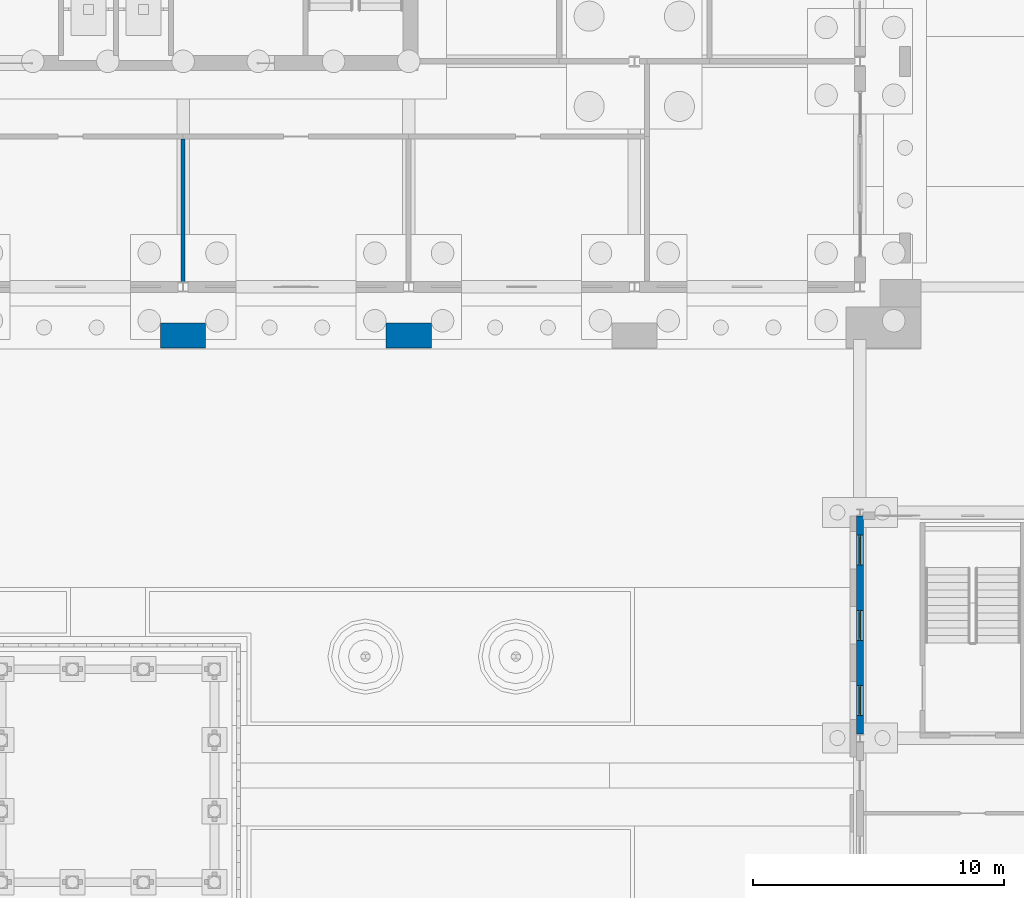
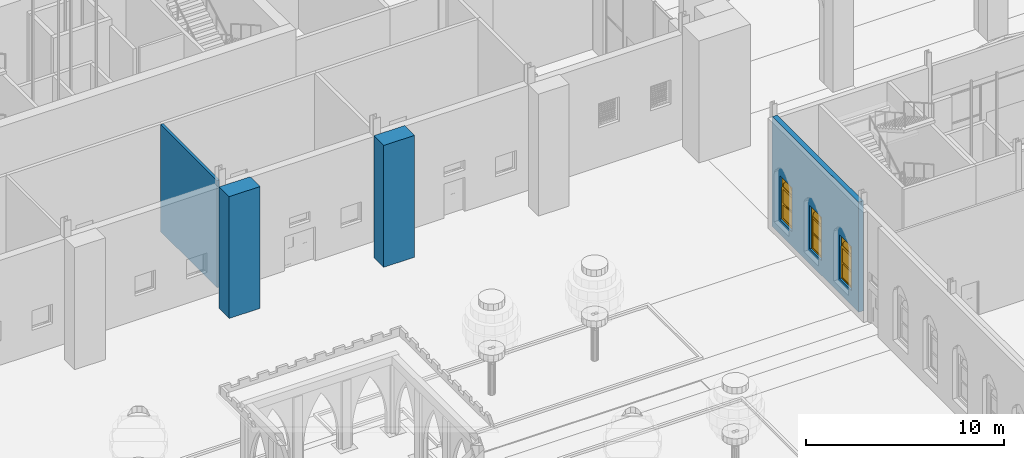
# One storey, part 104 of 250: 4 walls, 3 windows, 3 openings.
"""IFC4 building model written with IfcOpenShell, lengths in metres."""

from ifc_helpers import new_model, si_unit, direction, frame, frame_2d, origin, place, context, subcontext, project, spatial, polyline, rectangle, outline, extrude, material, layer, layer_set, type_object, element, fill, save


model = new_model("IFC4")

# Units and contexts
model_context = context("Model", 3, precision=1e-05, world=origin(), true_north=direction((0.0, 1.0)))
body_context = subcontext(model_context, "Body", "Model", "MODEL_VIEW")
ifc_project = project(units=[si_unit("LENGTHUNIT", "METRE"), si_unit("AREAUNIT", "SQUARE_METRE"), si_unit("VOLUMEUNIT", "CUBIC_METRE"), si_unit("PLANEANGLEUNIT", "RADIAN"), si_unit("MASSUNIT", "GRAM", prefix="KILO")], contexts=[model_context])

# Site, building, storey
site_placement = place(None, origin())
site = spatial("IfcSite", under=ifc_project, at=site_placement, CompositionType="ELEMENT")
building_placement = place(site_placement, origin())
building = spatial("IfcBuilding", under=site, at=building_placement, Name="Baradari Gate Terminus", CompositionType="ELEMENT")
storey_placement = place(building_placement, origin())
storey = spatial("IfcBuildingStorey", under=building, at=storey_placement, Name="L00", CompositionType="ELEMENT", Elevation=0.0)

# Wall, openings, windows
ifc_material_1 = material(Name="Concrete C40/50 precast", Category="concrete")
ifc_layer_1 = layer(ifc_material_1, 0.23)
ifc_material_2 = material(Name="Reconstituted stone", Category="masonry")
ifc_layer_2 = layer(ifc_material_2, 0.05)
ifc_layer_set_1 = layer_set([ifc_layer_1, ifc_layer_2], Name="Concrete C40/50 precast")
wall_type_1 = type_object("IfcWallType", Name="End wall WE-1 280", PredefinedType="SOLIDWALL", material=ifc_layer_set_1)
wall_1_placement = place(storey_placement, frame((63.0, 99.1572265625, 0.0), z_axis=(0.0, 0.0, 1.0), x_axis=(0.0, 1.0, 0.0)))
wall_1 = element("IfcWall", 1, at=wall_1_placement, inside=storey, type_object=wall_type_1, Name="court end wall HW bay 12 L00", PredefinedType="SOLIDWALL", context=body_context, shape_type="SweptSolid", body=[
    extrude(rectangle(XDim=8.712646484375, YDim=0.280029296875, at=frame_2d((4.3564453125, 0.0))), origin(), (0.0, 0.0, 1.0), 6.767333984375),
])
opening_1_placement = place(wall_1_placement, frame((0.74267578125, 0.0, 0.89990234375)))
opening_1 = element("IfcOpeningElement", 2, at=opening_1_placement, cuts=wall_1, Name="Opening W7", PredefinedType="OPENING", context=body_context, shape_type="SweptSolid", body=[
    extrude(rectangle(XDim=1.199951171875, YDim=2.699951171875, at=frame_2d((0.60009765625, 1.35009765625))), frame((0.0, 0.14990234375, 0.0), z_axis=(0.0, -1.0, 0.0), x_axis=(1.0, 0.0, 0.0)), (0.0, 0.0, 1.0), 0.300048828125),
])
opening_2_placement = place(wall_1_placement, frame((3.74267578125, 0.0, 0.89990234375)))
opening_2 = element("IfcOpeningElement", 3, at=opening_2_placement, cuts=wall_1, Name="Opening W7", PredefinedType="OPENING", context=body_context, shape_type="SweptSolid", body=[
    extrude(rectangle(XDim=1.199951171875, YDim=2.699951171875, at=frame_2d((0.60009765625, 1.35009765625))), frame((0.0, 0.14990234375, 0.0), z_axis=(0.0, -1.0, 0.0), x_axis=(1.0, 0.0, 0.0)), (0.0, 0.0, 1.0), 0.300048828125),
])
opening_3_placement = place(wall_1_placement, frame((6.74267578125, 0.0, 0.89990234375)))
opening_3 = element("IfcOpeningElement", 4, at=opening_3_placement, cuts=wall_1, Name="Opening W7", PredefinedType="OPENING", context=body_context, shape_type="SweptSolid", body=[
    extrude(rectangle(XDim=1.199951171875, YDim=2.699951171875, at=frame_2d((0.60009765625, 1.35009765625))), frame((0.0, 0.14990234375, 0.0), z_axis=(0.0, -1.0, 0.0), x_axis=(1.0, 0.0, 0.0)), (0.0, 0.0, 1.0), 0.300048828125),
])
ifc_material_3 = material(Name="Aluminium 6063-T6", Category="aluminium")
window_type = type_object("IfcWindowType", Name="Service block window W7 1200x2700", PartitioningType="DOUBLE_PANEL_HORIZONTAL", PredefinedType="WINDOW", material=ifc_material_3)
window_1_placement = place(opening_1_placement, origin())
window_1 = element("IfcWindow", 5, at=window_1_placement, inside=storey, type_object=window_type, Name="Window W7 HW/11", OverallHeight=2.7, OverallWidth=1.2, PartitioningType="DOUBLE_PANEL_HORIZONTAL", PredefinedType="WINDOW", context=body_context, shape_type="SweptSolid", body=[
    extrude(outline(polyline([(0.0, 0.0), (1.199951171875, 0.0), (1.199951171875, 1.969970703125), (1.195068359375, 2.05517578125), (1.180419921875, 2.13916015625), (1.15625, 2.220947265625), (1.123046875, 2.29931640625), (1.0810546875, 2.37353515625), (1.03076171875, 2.4423828125), (0.972900390625, 2.505126953125), (0.908203125, 2.560791015625), (0.837646484375, 2.608642578125), (0.76220703125, 2.648193359375), (0.6826171875, 2.6787109375), (0.599853515625, 2.699951171875), (0.517333984375, 2.6787109375), (0.437744140625, 2.648193359375), (0.3623046875, 2.608642578125), (0.291748046875, 2.560791015625), (0.22705078125, 2.505126953125), (0.169189453125, 2.4423828125), (0.118896484375, 2.37353515625), (0.076904296875, 2.29931640625), (0.043701171875, 2.220947265625), (0.01953125, 2.13916015625), (0.0048828125, 2.05517578125), (0.0, 1.969970703125), (0.0, 0.0)]), holes=[polyline([(0.070068359375, 0.070068359375), (1.1298828125, 0.070068359375), (1.1298828125, 1.969970703125), (1.12548828125, 2.0458984375), (1.11279296875, 2.12109375), (1.091552734375, 2.1943359375), (1.062255859375, 2.2646484375), (1.025390625, 2.3310546875), (0.98095703125, 2.39306640625), (0.929931640625, 2.44970703125), (0.873046875, 2.500244140625), (0.810791015625, 2.5439453125), (0.743896484375, 2.58056640625), (0.67333984375, 2.609375), (0.60009765625, 2.6298828125), (0.526611328125, 2.609375), (0.4560546875, 2.58056640625), (0.38916015625, 2.5439453125), (0.326904296875, 2.500244140625), (0.27001953125, 2.44970703125), (0.218994140625, 2.39306640625), (0.174560546875, 2.3310546875), (0.1376953125, 2.2646484375), (0.1083984375, 2.1943359375), (0.087158203125, 2.12109375), (0.074462890625, 2.0458984375), (0.070068359375, 1.969970703125), (0.070068359375, 0.070068359375)])]), frame((0.0, 0.030029296875, 0.0), z_axis=(0.0, -1.0, 0.0), x_axis=(1.0, 0.0, 0.0)), (0.0, 0.0, 1.0), 0.06005859375),
    extrude(outline(polyline([(0.0, 1.969970703125), (0.0048828125, 2.05517578125), (0.01953125, 2.13916015625), (0.043701171875, 2.220947265625), (0.076904296875, 2.29931640625), (0.118896484375, 2.37353515625), (0.169189453125, 2.4423828125), (0.22705078125, 2.505126953125), (0.291748046875, 2.560791015625), (0.3623046875, 2.608642578125), (0.437744140625, 2.648193359375), (0.517333984375, 2.6787109375), (0.599853515625, 2.699951171875), (0.0, 2.699951171875), (0.0, 1.969970703125)])), frame((0.0, 0.028076171875, 0.0), z_axis=(0.0, -1.0, 0.0), x_axis=(1.0, 0.0, 0.0)), (0.0, 0.0, 1.0), 0.05615234375),
    extrude(outline(polyline([(0.599853515625, 2.699951171875), (0.6826171875, 2.6787109375), (0.76220703125, 2.648193359375), (0.837646484375, 2.608642578125), (0.908203125, 2.560791015625), (0.972900390625, 2.505126953125), (1.03076171875, 2.4423828125), (1.0810546875, 2.37353515625), (1.123046875, 2.29931640625), (1.15625, 2.220947265625), (1.180419921875, 2.13916015625), (1.195068359375, 2.05517578125), (1.199951171875, 1.969970703125), (1.199951171875, 2.699951171875), (0.599853515625, 2.699951171875)])), frame((0.0, 0.027099609375, 0.0), z_axis=(0.0, -1.0, 0.0), x_axis=(1.0, 0.0, 0.0)), (0.0, 0.0, 1.0), 0.05419921875),
    extrude(outline(polyline([(1.127685546875, 2.010009765625), (0.072265625, 2.010009765625), (0.070068359375, 1.969970703125), (0.070068359375, 1.929931640625), (1.1298828125, 1.929931640625), (1.1298828125, 1.969970703125), (1.127685546875, 2.010009765625)])), frame((0.0, 0.02099609375, 0.0), z_axis=(0.0, -1.0, 0.0), x_axis=(1.0, 0.0, 0.0)), (0.0, 0.0, 1.0), 0.0419921875),
    extrude(rectangle(XDim=1.059814453125, YDim=0.0400390625, at=frame_2d((0.60009765625, 1.0))), frame((0.0, 0.021484375, 0.0), z_axis=(0.0, -1.0, 0.0), x_axis=(1.0, 0.0, 0.0)), (0.0, 0.0, 1.0), 0.04296875),
    extrude(outline(polyline([(0.070068359375, 0.070068359375), (1.1298828125, 0.070068359375), (1.1298828125, 0.97998046875), (0.070068359375, 0.97998046875), (0.070068359375, 0.070068359375)]), holes=[polyline([(0.10009765625, 0.10009765625), (1.099853515625, 0.10009765625), (1.099853515625, 0.949951171875), (0.10009765625, 0.949951171875), (0.10009765625, 0.10009765625)])]), frame((0.0, 0.0224609375, 0.0), z_axis=(0.0, -1.0, 0.0), x_axis=(1.0, 0.0, 0.0)), (0.0, 0.0, 1.0), 0.044921875),
    extrude(rectangle(XDim=0.999755859375, YDim=0.849853515625, at=frame_2d((0.60009765625, 0.52490234375))), frame((0.0, 0.006103515625, 0.0), z_axis=(0.0, -1.0, 0.0), x_axis=(1.0, 0.0, 0.0)), (0.0, 0.0, 1.0), 0.01220703125),
    extrude(outline(polyline([(0.070068359375, 1.02001953125), (1.1298828125, 1.02001953125), (1.1298828125, 1.929931640625), (0.070068359375, 1.929931640625), (0.070068359375, 1.02001953125)]), holes=[polyline([(0.10009765625, 1.050048828125), (1.099853515625, 1.050048828125), (1.099853515625, 1.89990234375), (0.10009765625, 1.89990234375), (0.10009765625, 1.050048828125)])]), frame((0.0, 0.0224609375, 0.0), z_axis=(0.0, -1.0, 0.0), x_axis=(1.0, 0.0, 0.0)), (0.0, 0.0, 1.0), 0.044921875),
    extrude(rectangle(XDim=0.999755859375, YDim=0.849853515625, at=frame_2d((0.60009765625, 1.47509765625))), frame((0.0, 0.006103515625, 0.0), z_axis=(0.0, -1.0, 0.0), x_axis=(1.0, 0.0, 0.0)), (0.0, 0.0, 1.0), 0.01220703125),
    extrude(outline(polyline([(0.072265625, 2.010009765625), (1.127685546875, 2.010009765625), (1.12548828125, 2.0458984375), (1.11279296875, 2.12109375), (1.091552734375, 2.1943359375), (1.062255859375, 2.2646484375), (1.025390625, 2.3310546875), (0.98095703125, 2.39306640625), (0.929931640625, 2.44970703125), (0.873046875, 2.500244140625), (0.810791015625, 2.5439453125), (0.743896484375, 2.58056640625), (0.67333984375, 2.609375), (0.60009765625, 2.6298828125), (0.526611328125, 2.609375), (0.4560546875, 2.58056640625), (0.38916015625, 2.5439453125), (0.326904296875, 2.500244140625), (0.27001953125, 2.44970703125), (0.218994140625, 2.39306640625), (0.174560546875, 2.3310546875), (0.1376953125, 2.2646484375), (0.1083984375, 2.1943359375), (0.087158203125, 2.12109375), (0.074462890625, 2.0458984375), (0.072265625, 2.010009765625)]), holes=[polyline([(0.10986328125, 2.044921875), (0.121337890625, 2.11328125), (0.141357421875, 2.1826171875), (0.169189453125, 2.249267578125), (0.2041015625, 2.312255859375), (0.246337890625, 2.37109375), (0.294677734375, 2.4248046875), (0.3486328125, 2.47265625), (0.40771484375, 2.51416015625), (0.47119140625, 2.548828125), (0.5380859375, 2.576171875), (0.60009765625, 2.593505859375), (0.661865234375, 2.576171875), (0.728759765625, 2.548828125), (0.792236328125, 2.51416015625), (0.851318359375, 2.47265625), (0.9052734375, 2.4248046875), (0.95361328125, 2.37109375), (0.995849609375, 2.312255859375), (1.03076171875, 2.249267578125), (1.05859375, 2.1826171875), (1.07861328125, 2.11328125), (1.090087890625, 2.044921875), (0.10986328125, 2.044921875)])]), frame((0.0, 0.0224609375, 0.0), z_axis=(0.0, -1.0, 0.0), x_axis=(1.0, 0.0, 0.0)), (0.0, 0.0, 1.0), 0.044921875),
    extrude(outline(polyline([(1.090087890625, 2.044921875), (1.07861328125, 2.11328125), (1.05859375, 2.1826171875), (1.03076171875, 2.249267578125), (0.995849609375, 2.312255859375), (0.95361328125, 2.37109375), (0.9052734375, 2.4248046875), (0.851318359375, 2.47265625), (0.792236328125, 2.51416015625), (0.728759765625, 2.548828125), (0.661865234375, 2.576171875), (0.60009765625, 2.593505859375), (0.5380859375, 2.576171875), (0.47119140625, 2.548828125), (0.40771484375, 2.51416015625), (0.3486328125, 2.47265625), (0.294677734375, 2.4248046875), (0.246337890625, 2.37109375), (0.2041015625, 2.312255859375), (0.169189453125, 2.249267578125), (0.141357421875, 2.1826171875), (0.121337890625, 2.11328125), (0.10986328125, 2.044921875), (1.090087890625, 2.044921875)])), frame((0.0, 0.006103515625, 0.0), z_axis=(0.0, -1.0, 0.0), x_axis=(1.0, 0.0, 0.0)), (0.0, 0.0, 1.0), 0.01220703125),
])
fill(opening_1, window_1)
window_2_placement = place(opening_2_placement, origin())
window_2 = element("IfcWindow", 6, at=window_2_placement, inside=storey, type_object=window_type, Name="Window W7 HW/11", OverallHeight=2.7, OverallWidth=1.2, PartitioningType="DOUBLE_PANEL_HORIZONTAL", PredefinedType="WINDOW", context=body_context, shape_type="SweptSolid", body=[
    extrude(outline(polyline([(0.0, 0.0), (1.199951171875, 0.0), (1.199951171875, 1.969970703125), (1.195068359375, 2.05517578125), (1.180419921875, 2.13916015625), (1.15625, 2.220947265625), (1.123046875, 2.29931640625), (1.0810546875, 2.37353515625), (1.03076171875, 2.4423828125), (0.972900390625, 2.505126953125), (0.908203125, 2.560791015625), (0.837646484375, 2.608642578125), (0.76220703125, 2.648193359375), (0.6826171875, 2.6787109375), (0.599853515625, 2.699951171875), (0.517333984375, 2.6787109375), (0.437744140625, 2.648193359375), (0.3623046875, 2.608642578125), (0.291748046875, 2.560791015625), (0.22705078125, 2.505126953125), (0.169189453125, 2.4423828125), (0.118896484375, 2.37353515625), (0.076904296875, 2.29931640625), (0.043701171875, 2.220947265625), (0.01953125, 2.13916015625), (0.0048828125, 2.05517578125), (0.0, 1.969970703125), (0.0, 0.0)]), holes=[polyline([(0.070068359375, 0.070068359375), (1.1298828125, 0.070068359375), (1.1298828125, 1.969970703125), (1.12548828125, 2.0458984375), (1.11279296875, 2.12109375), (1.091552734375, 2.1943359375), (1.062255859375, 2.2646484375), (1.025390625, 2.3310546875), (0.98095703125, 2.39306640625), (0.929931640625, 2.44970703125), (0.873046875, 2.500244140625), (0.810791015625, 2.5439453125), (0.743896484375, 2.58056640625), (0.67333984375, 2.609375), (0.60009765625, 2.6298828125), (0.526611328125, 2.609375), (0.4560546875, 2.58056640625), (0.38916015625, 2.5439453125), (0.326904296875, 2.500244140625), (0.27001953125, 2.44970703125), (0.218994140625, 2.39306640625), (0.174560546875, 2.3310546875), (0.1376953125, 2.2646484375), (0.1083984375, 2.1943359375), (0.087158203125, 2.12109375), (0.074462890625, 2.0458984375), (0.070068359375, 1.969970703125), (0.070068359375, 0.070068359375)])]), frame((0.0, 0.030029296875, 0.0), z_axis=(0.0, -1.0, 0.0), x_axis=(1.0, 0.0, 0.0)), (0.0, 0.0, 1.0), 0.06005859375),
    extrude(outline(polyline([(0.0, 1.969970703125), (0.0048828125, 2.05517578125), (0.01953125, 2.13916015625), (0.043701171875, 2.220947265625), (0.076904296875, 2.29931640625), (0.118896484375, 2.37353515625), (0.169189453125, 2.4423828125), (0.22705078125, 2.505126953125), (0.291748046875, 2.560791015625), (0.3623046875, 2.608642578125), (0.437744140625, 2.648193359375), (0.517333984375, 2.6787109375), (0.599853515625, 2.699951171875), (0.0, 2.699951171875), (0.0, 1.969970703125)])), frame((0.0, 0.028076171875, 0.0), z_axis=(0.0, -1.0, 0.0), x_axis=(1.0, 0.0, 0.0)), (0.0, 0.0, 1.0), 0.05615234375),
    extrude(outline(polyline([(0.599853515625, 2.699951171875), (0.6826171875, 2.6787109375), (0.76220703125, 2.648193359375), (0.837646484375, 2.608642578125), (0.908203125, 2.560791015625), (0.972900390625, 2.505126953125), (1.03076171875, 2.4423828125), (1.0810546875, 2.37353515625), (1.123046875, 2.29931640625), (1.15625, 2.220947265625), (1.180419921875, 2.13916015625), (1.195068359375, 2.05517578125), (1.199951171875, 1.969970703125), (1.199951171875, 2.699951171875), (0.599853515625, 2.699951171875)])), frame((0.0, 0.027099609375, 0.0), z_axis=(0.0, -1.0, 0.0), x_axis=(1.0, 0.0, 0.0)), (0.0, 0.0, 1.0), 0.05419921875),
    extrude(outline(polyline([(1.127685546875, 2.010009765625), (0.072265625, 2.010009765625), (0.070068359375, 1.969970703125), (0.070068359375, 1.929931640625), (1.1298828125, 1.929931640625), (1.1298828125, 1.969970703125), (1.127685546875, 2.010009765625)])), frame((0.0, 0.02099609375, 0.0), z_axis=(0.0, -1.0, 0.0), x_axis=(1.0, 0.0, 0.0)), (0.0, 0.0, 1.0), 0.0419921875),
    extrude(rectangle(XDim=1.059814453125, YDim=0.0400390625, at=frame_2d((0.60009765625, 1.0))), frame((0.0, 0.021484375, 0.0), z_axis=(0.0, -1.0, 0.0), x_axis=(1.0, 0.0, 0.0)), (0.0, 0.0, 1.0), 0.04296875),
    extrude(outline(polyline([(0.070068359375, 0.070068359375), (1.1298828125, 0.070068359375), (1.1298828125, 0.97998046875), (0.070068359375, 0.97998046875), (0.070068359375, 0.070068359375)]), holes=[polyline([(0.10009765625, 0.10009765625), (1.099853515625, 0.10009765625), (1.099853515625, 0.949951171875), (0.10009765625, 0.949951171875), (0.10009765625, 0.10009765625)])]), frame((0.0, 0.0224609375, 0.0), z_axis=(0.0, -1.0, 0.0), x_axis=(1.0, 0.0, 0.0)), (0.0, 0.0, 1.0), 0.044921875),
    extrude(rectangle(XDim=0.999755859375, YDim=0.849853515625, at=frame_2d((0.60009765625, 0.52490234375))), frame((0.0, 0.006103515625, 0.0), z_axis=(0.0, -1.0, 0.0), x_axis=(1.0, 0.0, 0.0)), (0.0, 0.0, 1.0), 0.01220703125),
    extrude(outline(polyline([(0.070068359375, 1.02001953125), (1.1298828125, 1.02001953125), (1.1298828125, 1.929931640625), (0.070068359375, 1.929931640625), (0.070068359375, 1.02001953125)]), holes=[polyline([(0.10009765625, 1.050048828125), (1.099853515625, 1.050048828125), (1.099853515625, 1.89990234375), (0.10009765625, 1.89990234375), (0.10009765625, 1.050048828125)])]), frame((0.0, 0.0224609375, 0.0), z_axis=(0.0, -1.0, 0.0), x_axis=(1.0, 0.0, 0.0)), (0.0, 0.0, 1.0), 0.044921875),
    extrude(rectangle(XDim=0.999755859375, YDim=0.849853515625, at=frame_2d((0.60009765625, 1.47509765625))), frame((0.0, 0.006103515625, 0.0), z_axis=(0.0, -1.0, 0.0), x_axis=(1.0, 0.0, 0.0)), (0.0, 0.0, 1.0), 0.01220703125),
    extrude(outline(polyline([(0.072265625, 2.010009765625), (1.127685546875, 2.010009765625), (1.12548828125, 2.0458984375), (1.11279296875, 2.12109375), (1.091552734375, 2.1943359375), (1.062255859375, 2.2646484375), (1.025390625, 2.3310546875), (0.98095703125, 2.39306640625), (0.929931640625, 2.44970703125), (0.873046875, 2.500244140625), (0.810791015625, 2.5439453125), (0.743896484375, 2.58056640625), (0.67333984375, 2.609375), (0.60009765625, 2.6298828125), (0.526611328125, 2.609375), (0.4560546875, 2.58056640625), (0.38916015625, 2.5439453125), (0.326904296875, 2.500244140625), (0.27001953125, 2.44970703125), (0.218994140625, 2.39306640625), (0.174560546875, 2.3310546875), (0.1376953125, 2.2646484375), (0.1083984375, 2.1943359375), (0.087158203125, 2.12109375), (0.074462890625, 2.0458984375), (0.072265625, 2.010009765625)]), holes=[polyline([(0.10986328125, 2.044921875), (0.121337890625, 2.11328125), (0.141357421875, 2.1826171875), (0.169189453125, 2.249267578125), (0.2041015625, 2.312255859375), (0.246337890625, 2.37109375), (0.294677734375, 2.4248046875), (0.3486328125, 2.47265625), (0.40771484375, 2.51416015625), (0.47119140625, 2.548828125), (0.5380859375, 2.576171875), (0.60009765625, 2.593505859375), (0.661865234375, 2.576171875), (0.728759765625, 2.548828125), (0.792236328125, 2.51416015625), (0.851318359375, 2.47265625), (0.9052734375, 2.4248046875), (0.95361328125, 2.37109375), (0.995849609375, 2.312255859375), (1.03076171875, 2.249267578125), (1.05859375, 2.1826171875), (1.07861328125, 2.11328125), (1.090087890625, 2.044921875), (0.10986328125, 2.044921875)])]), frame((0.0, 0.0224609375, 0.0), z_axis=(0.0, -1.0, 0.0), x_axis=(1.0, 0.0, 0.0)), (0.0, 0.0, 1.0), 0.044921875),
    extrude(outline(polyline([(1.090087890625, 2.044921875), (1.07861328125, 2.11328125), (1.05859375, 2.1826171875), (1.03076171875, 2.249267578125), (0.995849609375, 2.312255859375), (0.95361328125, 2.37109375), (0.9052734375, 2.4248046875), (0.851318359375, 2.47265625), (0.792236328125, 2.51416015625), (0.728759765625, 2.548828125), (0.661865234375, 2.576171875), (0.60009765625, 2.593505859375), (0.5380859375, 2.576171875), (0.47119140625, 2.548828125), (0.40771484375, 2.51416015625), (0.3486328125, 2.47265625), (0.294677734375, 2.4248046875), (0.246337890625, 2.37109375), (0.2041015625, 2.312255859375), (0.169189453125, 2.249267578125), (0.141357421875, 2.1826171875), (0.121337890625, 2.11328125), (0.10986328125, 2.044921875), (1.090087890625, 2.044921875)])), frame((0.0, 0.006103515625, 0.0), z_axis=(0.0, -1.0, 0.0), x_axis=(1.0, 0.0, 0.0)), (0.0, 0.0, 1.0), 0.01220703125),
])
fill(opening_2, window_2)
window_3_placement = place(opening_3_placement, origin())
window_3 = element("IfcWindow", 7, at=window_3_placement, inside=storey, type_object=window_type, Name="Window W7 HW/11", OverallHeight=2.7, OverallWidth=1.2, PartitioningType="DOUBLE_PANEL_HORIZONTAL", PredefinedType="WINDOW", context=body_context, shape_type="SweptSolid", body=[
    extrude(outline(polyline([(0.0, 0.0), (1.199951171875, 0.0), (1.199951171875, 1.969970703125), (1.195068359375, 2.05517578125), (1.180419921875, 2.13916015625), (1.15625, 2.220947265625), (1.123046875, 2.29931640625), (1.0810546875, 2.37353515625), (1.03076171875, 2.4423828125), (0.972900390625, 2.505126953125), (0.908203125, 2.560791015625), (0.837646484375, 2.608642578125), (0.76220703125, 2.648193359375), (0.6826171875, 2.6787109375), (0.599853515625, 2.699951171875), (0.517333984375, 2.6787109375), (0.437744140625, 2.648193359375), (0.3623046875, 2.608642578125), (0.291748046875, 2.560791015625), (0.22705078125, 2.505126953125), (0.169189453125, 2.4423828125), (0.118896484375, 2.37353515625), (0.076904296875, 2.29931640625), (0.043701171875, 2.220947265625), (0.01953125, 2.13916015625), (0.0048828125, 2.05517578125), (0.0, 1.969970703125), (0.0, 0.0)]), holes=[polyline([(0.070068359375, 0.070068359375), (1.1298828125, 0.070068359375), (1.1298828125, 1.969970703125), (1.12548828125, 2.0458984375), (1.11279296875, 2.12109375), (1.091552734375, 2.1943359375), (1.062255859375, 2.2646484375), (1.025390625, 2.3310546875), (0.98095703125, 2.39306640625), (0.929931640625, 2.44970703125), (0.873046875, 2.500244140625), (0.810791015625, 2.5439453125), (0.743896484375, 2.58056640625), (0.67333984375, 2.609375), (0.60009765625, 2.6298828125), (0.526611328125, 2.609375), (0.4560546875, 2.58056640625), (0.38916015625, 2.5439453125), (0.326904296875, 2.500244140625), (0.27001953125, 2.44970703125), (0.218994140625, 2.39306640625), (0.174560546875, 2.3310546875), (0.1376953125, 2.2646484375), (0.1083984375, 2.1943359375), (0.087158203125, 2.12109375), (0.074462890625, 2.0458984375), (0.070068359375, 1.969970703125), (0.070068359375, 0.070068359375)])]), frame((0.0, 0.030029296875, 0.0), z_axis=(0.0, -1.0, 0.0), x_axis=(1.0, 0.0, 0.0)), (0.0, 0.0, 1.0), 0.06005859375),
    extrude(outline(polyline([(0.0, 1.969970703125), (0.0048828125, 2.05517578125), (0.01953125, 2.13916015625), (0.043701171875, 2.220947265625), (0.076904296875, 2.29931640625), (0.118896484375, 2.37353515625), (0.169189453125, 2.4423828125), (0.22705078125, 2.505126953125), (0.291748046875, 2.560791015625), (0.3623046875, 2.608642578125), (0.437744140625, 2.648193359375), (0.517333984375, 2.6787109375), (0.599853515625, 2.699951171875), (0.0, 2.699951171875), (0.0, 1.969970703125)])), frame((0.0, 0.028076171875, 0.0), z_axis=(0.0, -1.0, 0.0), x_axis=(1.0, 0.0, 0.0)), (0.0, 0.0, 1.0), 0.05615234375),
    extrude(outline(polyline([(0.599853515625, 2.699951171875), (0.6826171875, 2.6787109375), (0.76220703125, 2.648193359375), (0.837646484375, 2.608642578125), (0.908203125, 2.560791015625), (0.972900390625, 2.505126953125), (1.03076171875, 2.4423828125), (1.0810546875, 2.37353515625), (1.123046875, 2.29931640625), (1.15625, 2.220947265625), (1.180419921875, 2.13916015625), (1.195068359375, 2.05517578125), (1.199951171875, 1.969970703125), (1.199951171875, 2.699951171875), (0.599853515625, 2.699951171875)])), frame((0.0, 0.027099609375, 0.0), z_axis=(0.0, -1.0, 0.0), x_axis=(1.0, 0.0, 0.0)), (0.0, 0.0, 1.0), 0.05419921875),
    extrude(outline(polyline([(1.127685546875, 2.010009765625), (0.072265625, 2.010009765625), (0.070068359375, 1.969970703125), (0.070068359375, 1.929931640625), (1.1298828125, 1.929931640625), (1.1298828125, 1.969970703125), (1.127685546875, 2.010009765625)])), frame((0.0, 0.02099609375, 0.0), z_axis=(0.0, -1.0, 0.0), x_axis=(1.0, 0.0, 0.0)), (0.0, 0.0, 1.0), 0.0419921875),
    extrude(rectangle(XDim=1.059814453125, YDim=0.0400390625, at=frame_2d((0.60009765625, 1.0))), frame((0.0, 0.021484375, 0.0), z_axis=(0.0, -1.0, 0.0), x_axis=(1.0, 0.0, 0.0)), (0.0, 0.0, 1.0), 0.04296875),
    extrude(outline(polyline([(0.070068359375, 0.070068359375), (1.1298828125, 0.070068359375), (1.1298828125, 0.97998046875), (0.070068359375, 0.97998046875), (0.070068359375, 0.070068359375)]), holes=[polyline([(0.10009765625, 0.10009765625), (1.099853515625, 0.10009765625), (1.099853515625, 0.949951171875), (0.10009765625, 0.949951171875), (0.10009765625, 0.10009765625)])]), frame((0.0, 0.0224609375, 0.0), z_axis=(0.0, -1.0, 0.0), x_axis=(1.0, 0.0, 0.0)), (0.0, 0.0, 1.0), 0.044921875),
    extrude(rectangle(XDim=0.999755859375, YDim=0.849853515625, at=frame_2d((0.60009765625, 0.52490234375))), frame((0.0, 0.006103515625, 0.0), z_axis=(0.0, -1.0, 0.0), x_axis=(1.0, 0.0, 0.0)), (0.0, 0.0, 1.0), 0.01220703125),
    extrude(outline(polyline([(0.070068359375, 1.02001953125), (1.1298828125, 1.02001953125), (1.1298828125, 1.929931640625), (0.070068359375, 1.929931640625), (0.070068359375, 1.02001953125)]), holes=[polyline([(0.10009765625, 1.050048828125), (1.099853515625, 1.050048828125), (1.099853515625, 1.89990234375), (0.10009765625, 1.89990234375), (0.10009765625, 1.050048828125)])]), frame((0.0, 0.0224609375, 0.0), z_axis=(0.0, -1.0, 0.0), x_axis=(1.0, 0.0, 0.0)), (0.0, 0.0, 1.0), 0.044921875),
    extrude(rectangle(XDim=0.999755859375, YDim=0.849853515625, at=frame_2d((0.60009765625, 1.47509765625))), frame((0.0, 0.006103515625, 0.0), z_axis=(0.0, -1.0, 0.0), x_axis=(1.0, 0.0, 0.0)), (0.0, 0.0, 1.0), 0.01220703125),
    extrude(outline(polyline([(0.072265625, 2.010009765625), (1.127685546875, 2.010009765625), (1.12548828125, 2.0458984375), (1.11279296875, 2.12109375), (1.091552734375, 2.1943359375), (1.062255859375, 2.2646484375), (1.025390625, 2.3310546875), (0.98095703125, 2.39306640625), (0.929931640625, 2.44970703125), (0.873046875, 2.500244140625), (0.810791015625, 2.5439453125), (0.743896484375, 2.58056640625), (0.67333984375, 2.609375), (0.60009765625, 2.6298828125), (0.526611328125, 2.609375), (0.4560546875, 2.58056640625), (0.38916015625, 2.5439453125), (0.326904296875, 2.500244140625), (0.27001953125, 2.44970703125), (0.218994140625, 2.39306640625), (0.174560546875, 2.3310546875), (0.1376953125, 2.2646484375), (0.1083984375, 2.1943359375), (0.087158203125, 2.12109375), (0.074462890625, 2.0458984375), (0.072265625, 2.010009765625)]), holes=[polyline([(0.10986328125, 2.044921875), (0.121337890625, 2.11328125), (0.141357421875, 2.1826171875), (0.169189453125, 2.249267578125), (0.2041015625, 2.312255859375), (0.246337890625, 2.37109375), (0.294677734375, 2.4248046875), (0.3486328125, 2.47265625), (0.40771484375, 2.51416015625), (0.47119140625, 2.548828125), (0.5380859375, 2.576171875), (0.60009765625, 2.593505859375), (0.661865234375, 2.576171875), (0.728759765625, 2.548828125), (0.792236328125, 2.51416015625), (0.851318359375, 2.47265625), (0.9052734375, 2.4248046875), (0.95361328125, 2.37109375), (0.995849609375, 2.312255859375), (1.03076171875, 2.249267578125), (1.05859375, 2.1826171875), (1.07861328125, 2.11328125), (1.090087890625, 2.044921875), (0.10986328125, 2.044921875)])]), frame((0.0, 0.0224609375, 0.0), z_axis=(0.0, -1.0, 0.0), x_axis=(1.0, 0.0, 0.0)), (0.0, 0.0, 1.0), 0.044921875),
    extrude(outline(polyline([(1.090087890625, 2.044921875), (1.07861328125, 2.11328125), (1.05859375, 2.1826171875), (1.03076171875, 2.249267578125), (0.995849609375, 2.312255859375), (0.95361328125, 2.37109375), (0.9052734375, 2.4248046875), (0.851318359375, 2.47265625), (0.792236328125, 2.51416015625), (0.728759765625, 2.548828125), (0.661865234375, 2.576171875), (0.60009765625, 2.593505859375), (0.5380859375, 2.576171875), (0.47119140625, 2.548828125), (0.40771484375, 2.51416015625), (0.3486328125, 2.47265625), (0.294677734375, 2.4248046875), (0.246337890625, 2.37109375), (0.2041015625, 2.312255859375), (0.169189453125, 2.249267578125), (0.141357421875, 2.1826171875), (0.121337890625, 2.11328125), (0.10986328125, 2.044921875), (1.090087890625, 2.044921875)])), frame((0.0, 0.006103515625, 0.0), z_axis=(0.0, -1.0, 0.0), x_axis=(1.0, 0.0, 0.0)), (0.0, 0.0, 1.0), 0.01220703125),
])
fill(opening_3, window_3)

# Walls
ifc_material_4 = material(Name="Blockwork wall, plastered", Category="masonry")
ifc_layer_3 = layer(ifc_material_4, 0.14990234375)
ifc_layer_set_2 = layer_set([ifc_layer_3], Name="Blockwork wall, plastered")
wall_type_2 = type_object("IfcWallType", Name="Partition PT-2 150 EI 60", PredefinedType="PARTITIONING", material=ifc_layer_set_2)
wall_2_placement = place(storey_placement, frame((36.0, 122.89990234375, 0.0), z_axis=(0.0, 0.0, 1.0), x_axis=(0.0, -1.0, 0.0)))
element("IfcWall", 8, at=wall_2_placement, inside=storey, type_object=wall_type_2, Name="PT-2 partition Mail Room / Bicycle Store", PredefinedType="PARTITIONING", context=body_context, shape_type="SweptSolid", body=[
    extrude(rectangle(XDim=5.703125, YDim=0.14990234375, at=frame_2d((2.8515625, 0.0))), origin(), (0.0, 0.0, 1.0), 6.60009765625),
])
ifc_layer_4 = layer(ifc_material_1, 0.9)
ifc_material_5 = material(Name="Sandstone cladding", Category="masonry")
ifc_layer_5 = layer(ifc_material_5, 0.1)
ifc_layer_set_3 = layer_set([ifc_layer_4, ifc_layer_5], Name="Concrete C40/50 precast")
wall_type_3 = type_object("IfcWallType", Name="Sandstone-faced precast grid pier WQ-6 1000", PredefinedType="SOLIDWALL", material=ifc_layer_set_3)
for number, where, z_axis, x_axis, name in (
    (9, (44.10009765625, 115.054931640625, 0.0), (0.0, 0.0, 1.0), (1.0, 0.0, 0.0), "Frame pier S face bay 2 a L00"),
    (10, (35.10009765625, 115.054931640625, 0.0), (0.0, 0.0, 1.0), (1.0, 0.0, 0.0), "Grid pier S face grid 36 L00"),
):
    element("IfcWall", number, at=place(storey_placement, frame(where, z_axis=z_axis, x_axis=x_axis)), inside=storey, type_object=wall_type_3, Name=name, PredefinedType="SOLIDWALL", context=body_context, shape_type="SweptSolid", body=[
        extrude(rectangle(XDim=1.7998046875, YDim=1.0, at=frame_2d((0.89990234375, 0.0))), origin(), (0.0, 0.0, 1.0), 7.5),
    ])

save(model, "model.ifc")
